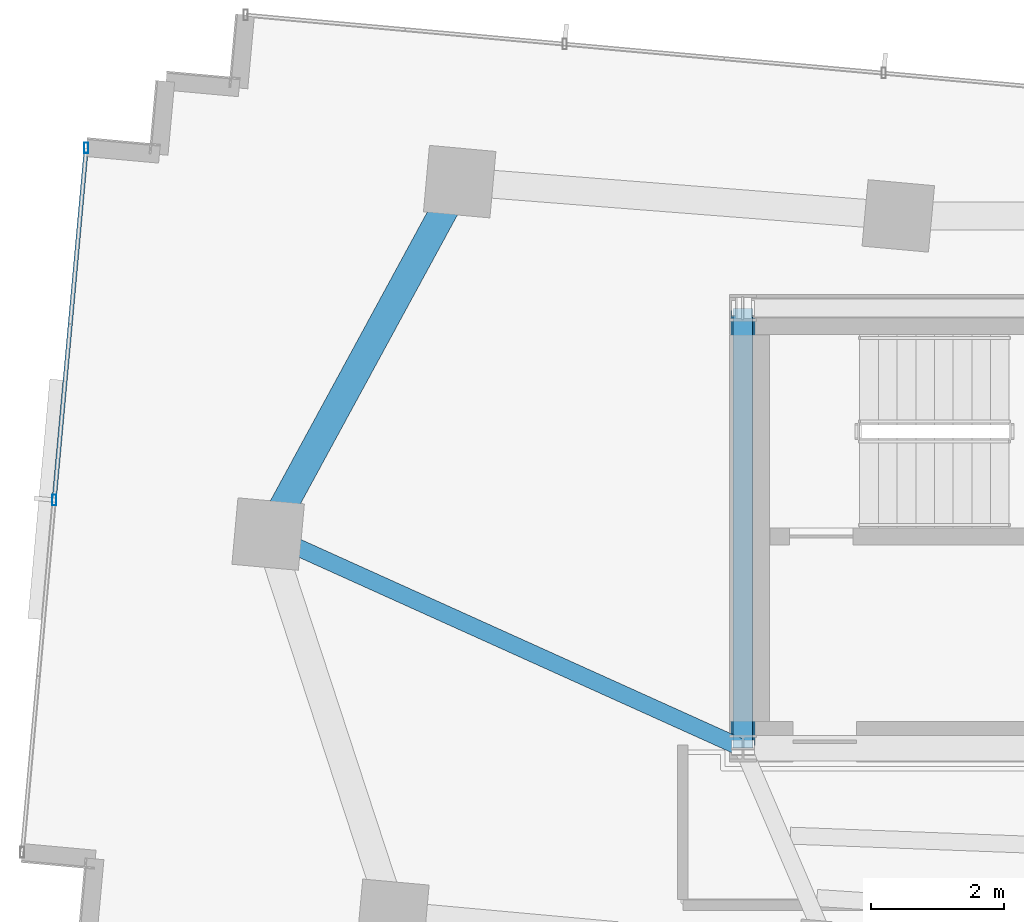
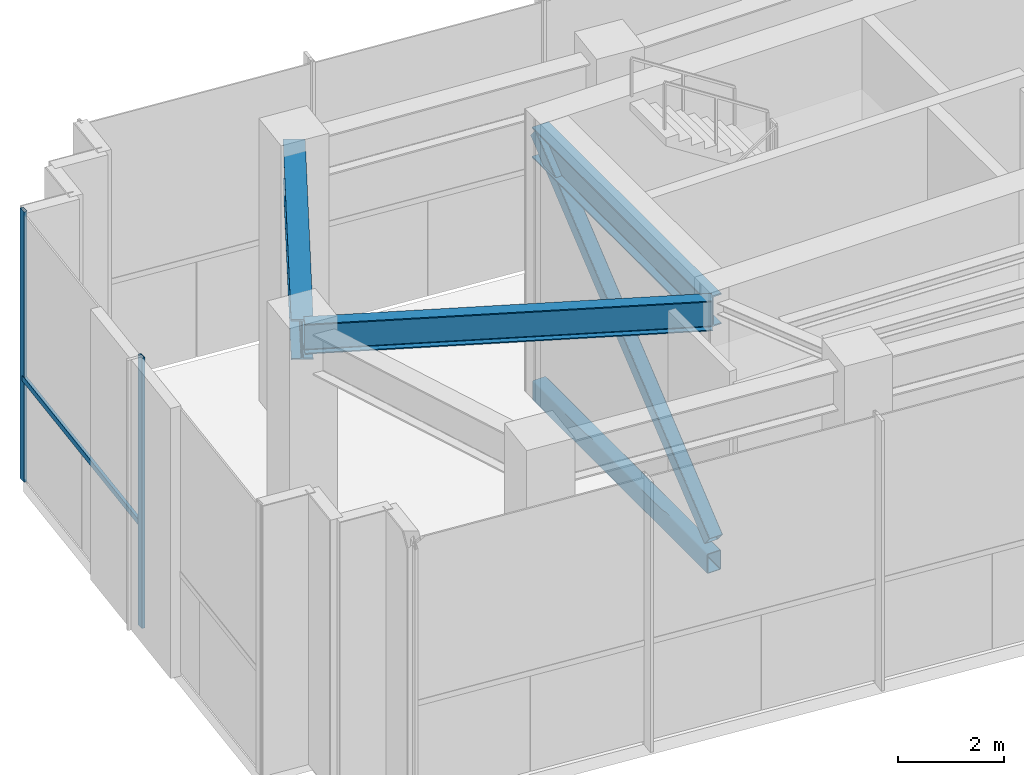
# One storey, part 4 of 18: 5 members, 3 beams, 1 element without a shape of its own.
"""IFC4 building model written with IfcOpenShell, lengths in metres."""

import ifcopenshell
import ifcopenshell.guid

model = None  # the IFC model being written
_history = None  # IfcOwnerHistory: only IFC2X3 demands one
_inside = {}  # id of a spatial element -> (the spatial element, [elements in it])
_under = {}  # id of a project, library or spatial element -> (it, [spatial elements below it])
_declared = {}  # id of a project -> (the project, [libraries it declares])
_typed = {}  # id of a type object -> (the type object, [elements of that type])
_made_of = {}  # id of a material, layer set ... -> (it, [elements and type objects made of it])


def new_model(schema):
    """Start an empty IFC model of exactly this schema.

    Asked for "IFC4X3", IfcOpenShell would pick the latest addendum, in which some entities
    have other attributes; the version numbers below select the first issue.
    IFC2X3 requires an IfcOwnerHistory on every rooted entity: one is made here for all.
    """
    global model, _history
    if schema == "IFC4X3":
        model = ifcopenshell.file(schema_version=(4, 3, 0, 0))
    else:
        model = ifcopenshell.file(schema=schema)
    _inside.clear()
    _under.clear()
    _declared.clear()
    _typed.clear()
    _made_of.clear()
    _history = None
    if model.schema == "IFC2X3":
        org = make("IfcOrganization", Name="unknown")
        user = make(
            "IfcPersonAndOrganization",
            ThePerson=make("IfcPerson", FamilyName="unknown"),
            TheOrganization=org,
        )
        app = make(
            "IfcApplication",
            ApplicationDeveloper=org,
            Version="unknown",
            ApplicationFullName="unknown",
            ApplicationIdentifier="unknown",
        )
        _history = make(
            "IfcOwnerHistory",
            OwningUser=user,
            OwningApplication=app,
            ChangeAction="ADDED",
            CreationDate=0,
        )
    return model


def make(cls, **values):
    """One entity of the class cls with the attributes given. An attribute that is None is left unset."""
    return model.create_entity(
        cls, **{name: value for name, value in values.items() if value is not None}
    )


def rooted(cls, **values):
    """An entity with a GlobalId (a new one), such as an element, a storey or a relation."""
    return make(cls, GlobalId=ifcopenshell.guid.new(), OwnerHistory=_history, **values)


def si_unit(unit_type, name, prefix=None):
    """IfcSIUnit, for example si_unit("LENGTHUNIT", "METRE", prefix="MILLI")."""
    return make("IfcSIUnit", UnitType=unit_type, Prefix=prefix, Name=name)


def assignment(units):
    """IfcUnitAssignment: the units of a project."""
    return None if units is None else make("IfcUnitAssignment", Units=units)


def point(xyz):
    """IfcCartesianPoint."""
    return None if xyz is None else make("IfcCartesianPoint", Coordinates=xyz)


def direction(xyz):
    """IfcDirection."""
    return None if xyz is None else make("IfcDirection", DirectionRatios=xyz)


def frame(location, z_axis=None, x_axis=None):
    """IfcAxis2Placement3D, a coordinate frame: its origin and axes. An axis left out is left unset."""
    return make(
        "IfcAxis2Placement3D",
        Location=point(location),
        Axis=direction(z_axis),
        RefDirection=direction(x_axis),
    )


def frame_2d(location, x_axis=None):
    """IfcAxis2Placement2D, a coordinate frame in the plane: its origin and x axis."""
    return make(
        "IfcAxis2Placement2D", Location=point(location), RefDirection=direction(x_axis)
    )


def origin():
    """The frame at (0, 0, 0) with its axes left unset."""
    return frame((0.0, 0.0, 0.0))


def origin_2d():
    """The frame at (0, 0) in the plane with its x axis left unset."""
    return frame_2d((0.0, 0.0))


def place(relative_to, where):
    """IfcLocalPlacement: puts the frame where relative to a parent placement (None: the world)."""
    return make(
        "IfcLocalPlacement", PlacementRelTo=relative_to, RelativePlacement=where
    )


def context(
    kind, dimensions, precision=None, world=None, true_north=None, identifier=None
):
    """IfcGeometricRepresentationContext, for example the 3D "Model" context."""
    return make(
        "IfcGeometricRepresentationContext",
        ContextIdentifier=identifier,
        ContextType=kind,
        CoordinateSpaceDimension=dimensions,
        Precision=precision,
        WorldCoordinateSystem=world,
        TrueNorth=true_north,
    )


def subcontext(parent, identifier, kind, view, scale=None):
    """IfcGeometricRepresentationSubContext, for example "Body" below "Model"."""
    return make(
        "IfcGeometricRepresentationSubContext",
        ContextIdentifier=identifier,
        ContextType=kind,
        ParentContext=parent,
        TargetScale=scale,
        TargetView=view,
    )


def project(units=None, contexts=None):
    """IfcProject with its units and contexts."""
    return rooted(
        "IfcProject",
        Name="project",
        RepresentationContexts=contexts,
        UnitsInContext=assignment(units),
    )


def spatial(cls, under=None, at=None, **own):
    """A site, building, storey or space (cls), placed at a placement, below another one or the project."""
    s = rooted(cls, ObjectPlacement=at, **own)
    if under is not None:
        _under.setdefault(under.id(), (under, []))[1].append(s)
    return s


def profile(cls, at=None, kind="AREA", **sizes):
    """A parametric profile (cls). Its sizes go by their IFC names, for example OverallWidth=200.0."""
    return make(cls, ProfileType=kind, Position=at, **sizes)


def hollow_rectangle(**sizes):
    """IfcRectangleHollowProfileDef."""
    return profile("IfcRectangleHollowProfileDef", **sizes)


def i_section(**sizes):
    """IfcIShapeProfileDef."""
    return profile("IfcIShapeProfileDef", **sizes)


def extrude(swept, where, along, depth):
    """IfcExtrudedAreaSolid: the profile swept, set in the frame where, extruded along a direction by depth."""
    return make(
        "IfcExtrudedAreaSolid",
        SweptArea=swept,
        Position=where,
        ExtrudedDirection=direction(along),
        Depth=depth,
    )


def shape(context_of_items, identifier, shape_type, items):
    """IfcShapeRepresentation: the items that make up one representation, for example the "Body"."""
    return make(
        "IfcShapeRepresentation",
        ContextOfItems=context_of_items,
        RepresentationIdentifier=identifier,
        RepresentationType=shape_type,
        Items=items,
    )


def source(mapping_origin, context_of_items, identifier, shape_type, items):
    """IfcRepresentationMap: a shape defined once, which mapped items show again and again."""
    return make(
        "IfcRepresentationMap",
        MappingOrigin=mapping_origin,
        MappedRepresentation=shape(context_of_items, identifier, shape_type, items),
    )


def transform(
    local_origin,
    x_axis=None,
    y_axis=None,
    z_axis=None,
    scale=None,
    scale2=None,
    scale3=None,
    uniform=True,
):
    """IfcCartesianTransformationOperator3D, or its non-uniform kind. x_axis, y_axis, z_axis: its Axis1, 2, 3."""
    if uniform:
        return make(
            "IfcCartesianTransformationOperator3D",
            Axis1=direction(x_axis),
            Axis2=direction(y_axis),
            LocalOrigin=point(local_origin),
            Scale=scale,
            Axis3=direction(z_axis),
        )
    return make(
        "IfcCartesianTransformationOperator3DnonUniform",
        Axis1=direction(x_axis),
        Axis2=direction(y_axis),
        LocalOrigin=point(local_origin),
        Scale=scale,
        Axis3=direction(z_axis),
        Scale2=scale2,
        Scale3=scale3,
    )


def mapped(mapping_source, mapping_target):
    """IfcMappedItem: shows the shape of a source again, moved by a transform."""
    return make(
        "IfcMappedItem", MappingSource=mapping_source, MappingTarget=mapping_target
    )


def material(Name=None, Category=None):
    """IfcMaterial."""
    return make("IfcMaterial", Name=Name, Category=Category)


def material_profile(
    of_material, cross_section, Name=None, Category=None, Priority=None
):
    """IfcMaterialProfile: a cross section and its material."""
    return make(
        "IfcMaterialProfile",
        Name=Name,
        Material=of_material,
        Profile=cross_section,
        Priority=Priority,
        Category=Category,
    )


def profile_set(profiles, Name=None, composite=None):
    """IfcMaterialProfileSet."""
    return make(
        "IfcMaterialProfileSet",
        Name=Name,
        MaterialProfiles=profiles,
        CompositeProfile=composite,
    )


def made_of(thing, what):
    """Note that an element or type object is made of a material, layer set ...; save() writes the relation."""
    if what is not None:
        _made_of.setdefault(what.id(), (what, []))[1].append(thing)
    return thing


def type_object(cls, material=None, **own):
    """A type object (cls), such as IfcWallType, which elements share."""
    return made_of(rooted(cls, **own), material)


def type_shapes(of_type, sources):
    """Give a type object the sources (RepresentationMaps) that its elements show as mapped items."""
    of_type.RepresentationMaps = sources


def element(
    cls,
    number,
    at=None,
    inside=None,
    cuts=None,
    type_object=None,
    material=None,
    context=None,
    identifier="Body",
    shape_type=None,
    held_by="IfcProductDefinitionShape",
    body=None,
    shapes=None,
    **own,
):
    """One element of the class cls, such as IfcWall. Its Tag is "e" and its number.

    at: its placement. inside: the storey or other place that contains it. cuts: it is an
    opening in that element (IfcRelVoidsElement). A single representation is given by context,
    identifier, shape_type and body (its items); several are given by shapes. held_by: the class
    of the entity that holds the representations. save() writes the other relations.
    """
    e = rooted(cls, Tag="e%d" % number, ObjectPlacement=at, **own)
    if body is not None:
        shapes = [shape(context, identifier, shape_type, body)]
    if shapes is not None:
        e.Representation = make(held_by, Representations=shapes)
    if inside is not None:
        _inside.setdefault(inside.id(), (inside, []))[1].append(e)
    if cuts is not None:
        rooted(
            "IfcRelVoidsElement", RelatingBuildingElement=cuts, RelatedOpeningElement=e
        )
    if type_object is not None:
        _typed.setdefault(type_object.id(), (type_object, []))[1].append(e)
    return made_of(e, material)


def aggregate(whole, parts):
    """IfcRelAggregates: a whole, such as a stair, and the parts it consists of."""
    return rooted("IfcRelAggregates", RelatingObject=whole, RelatedObjects=parts)


def save(model, path):
    """Write the relations noted so far, then the file.

    IfcRelAggregates (storeys below a building ...), IfcRelContainedInSpatialStructure (elements
    in a storey), IfcRelDefinesByType, IfcRelAssociatesMaterial and IfcRelDeclares: one each for
    every whole, place, type object, material and project.
    """
    for whole, parts in _under.values():
        aggregate(whole, parts)
    for where, things in _inside.values():
        rooted(
            "IfcRelContainedInSpatialStructure",
            RelatedElements=things,
            RelatingStructure=where,
        )
    for kind, things in _typed.values():
        rooted("IfcRelDefinesByType", RelatedObjects=things, RelatingType=kind)
    for what, things in _made_of.values():
        rooted("IfcRelAssociatesMaterial", RelatedObjects=things, RelatingMaterial=what)
    for by, libraries in _declared.values():
        rooted("IfcRelDeclares", RelatingContext=by, RelatedDefinitions=libraries)
    model.write(path)


model = new_model("IFC4")

# Units and contexts
model_context = context("Model", 3, precision=1e-05, world=origin(), true_north=direction((0.0, 1.0)))
body_context = subcontext(model_context, "Body", "Model", "MODEL_VIEW")
ifc_project = project(units=[si_unit("LENGTHUNIT", "METRE"), si_unit("AREAUNIT", "SQUARE_METRE"), si_unit("VOLUMEUNIT", "CUBIC_METRE"), si_unit("PLANEANGLEUNIT", "RADIAN"), si_unit("MASSUNIT", "GRAM", prefix="KILO")], contexts=[model_context])

# Site, building, storey
site_placement = place(None, origin())
site = spatial("IfcSite", under=ifc_project, at=site_placement, CompositionType="ELEMENT")
building_placement = place(site_placement, origin())
building = spatial("IfcBuilding", under=site, at=building_placement, Name="Astriad Promenade Condominiums", CompositionType="ELEMENT")
storey_placement = place(building_placement, frame((0.0, 0.0, 277.300048828125)))
storey = spatial("IfcBuildingStorey", under=building, at=storey_placement, Name="L78", CompositionType="ELEMENT", Elevation=277.300048828125)

# Beams
ifc_material_1 = material(Name="Steel ASTM A992 Grade 50", Category="steel")
ifc_material_profile_1 = material_profile(ifc_material_1, i_section(OverallWidth=0.35791015625, OverallDepth=0.706298828125, WebThickness=0.018310546875, FlangeThickness=0.0302734375, FilletRadius=0.020263671875, at=origin_2d()), Name="W27X178")
ifc_profile_set_1 = profile_set([ifc_material_profile_1], Name="Steel ASTM A992 Grade 50")
beam_type_1 = type_object("IfcBeamType", Name="STEEL FLOOR GIRDER W27X178", PredefinedType="BEAM", material=ifc_profile_set_1)
shared_shape_1 = source(origin(), body_context, "Body", "SweptSolid", [
    extrude(i_section(OverallWidth=0.35791015625, OverallDepth=0.706298828125, WebThickness=0.018310546875, FlangeThickness=0.0302734375, FilletRadius=0.020263671875, at=origin_2d()), origin(), (0.0, 0.0, 1.0), 6.52001953125),
])
type_shapes(beam_type_1, [shared_shape_1])
beam_1_placement = place(storey_placement, frame((26.39990234375, 17.43994140625, 5.86669921875), z_axis=(0.0, 1.0, 0.0), x_axis=(-1.0, 0.0, 0.0)))
element("IfcBeam", 1, at=beam_1_placement, inside=storey, type_object=beam_type_1, Name="Core Ring Beam CG-W1-L78", PredefinedType="BEAM", context=body_context, shape_type="MappedRepresentation", body=[
    mapped(shared_shape_1, transform((0.0, 0.0, 0.0), scale=1.0)),
])
ifc_material_profile_2 = material_profile(ifc_material_1, i_section(OverallWidth=0.255859375, OverallDepth=0.693115234375, WebThickness=0.014404296875, FlangeThickness=0.023681640625, FilletRadius=0.020263671875, at=origin_2d()), Name="W27X114")
ifc_profile_set_2 = profile_set([ifc_material_profile_2], Name="Steel ASTM A992 Grade 50")
beam_type_2 = type_object("IfcBeamType", Name="STEEL FLOOR GIRDER W27X114", PredefinedType="BEAM", material=ifc_profile_set_2)
shared_shape_2 = source(origin(), body_context, "Body", "SweptSolid", [
    extrude(i_section(OverallWidth=0.255859375, OverallDepth=0.693115234375, WebThickness=0.014404296875, FlangeThickness=0.023681640625, FilletRadius=0.020263671875, at=origin_2d()), origin(), (0.0, 0.0, 1.0), 7.727294921875),
])
type_shapes(beam_type_2, [shared_shape_2])
beam_2_placement = place(storey_placement, frame((19.320556640625, 20.595703125, 5.873291015625), z_axis=(0.911443223183, -0.411425875357, 0.0), x_axis=(0.411425875357, 0.911443223183, 0.0)))
element("IfcBeam", 2, at=beam_2_placement, inside=storey, type_object=beam_type_2, Name="Primary Floor Girder PG-WM-L78", PredefinedType="BEAM", context=body_context, shape_type="MappedRepresentation", body=[
    mapped(shared_shape_2, transform((0.0, 0.0, 0.0), scale=1.0)),
])
ifc_material_profile_3 = material_profile(ifc_material_1, i_section(OverallWidth=0.418212890625, OverallDepth=0.926513671875, WebThickness=0.019287109375, FlangeThickness=0.031982421875, FilletRadius=0.024169921875, at=origin_2d()), Name="W36X231")
ifc_profile_set_3 = profile_set([ifc_material_profile_3], Name="Steel ASTM A992 Grade 50")
beam_type_3 = type_object("IfcBeamType", Name="STEEL CROWN RING BEAM W36X231", PredefinedType="BEAM", material=ifc_profile_set_3)
shared_shape_3 = source(origin(), body_context, "Body", "SweptSolid", [
    extrude(i_section(OverallWidth=0.418212890625, OverallDepth=0.926513671875, WebThickness=0.019287109375, FlangeThickness=0.031982421875, FilletRadius=0.024169921875, at=origin_2d()), origin(), (0.0, 0.0, 1.0), 5.93115234375),
])
type_shapes(beam_type_3, [shared_shape_3])
beam_3_placement = place(storey_placement, frame((22.135498046875, 25.8583984375, 5.756591796875), z_axis=(-0.477527827146, -0.878616625327, 0.0), x_axis=(0.878616625327, -0.477527827146, 0.0)))
element("IfcBeam", 3, at=beam_3_placement, inside=storey, type_object=beam_type_3, Name="Perimeter Spandrel Beam SP-W2-L78", PredefinedType="BEAM", context=body_context, shape_type="MappedRepresentation", body=[
    mapped(shared_shape_3, transform((0.0, 0.0, 0.0), scale=1.0)),
])

# Members
ifc_material_2 = material(Name="Steel ASTM A500 Grade C", Category="steel")
ifc_material_profile_4 = material_profile(ifc_material_2, hollow_rectangle(XDim=0.3046875, YDim=0.457275390625, WallThickness=0.014892578125, InnerFilletRadius=0.014892578125, OuterFilletRadius=0.029541015625, at=origin_2d()), Name="HSS457X305X15.9")
ifc_profile_set_4 = profile_set([ifc_material_profile_4], Name="Steel ASTM A500 Grade C")
member_type_1 = type_object("IfcMemberType", Name="HSS LANTERN RING CHORD 457X305", PredefinedType="CHORD", material=ifc_profile_set_4)
shared_shape_4 = source(origin(), body_context, "Body", "SweptSolid", [
    extrude(hollow_rectangle(XDim=0.3046875, YDim=0.457275390625, WallThickness=0.014892578125, InnerFilletRadius=0.014892578125, OuterFilletRadius=0.029541015625, at=origin_2d()), origin(), (0.0, 0.0, 1.0), 6.590087890625),
])
type_shapes(member_type_1, [shared_shape_4])
member_1_placement = place(storey_placement, frame((26.39990234375, 17.405029296875, 0.119873046875), z_axis=(0.0, 1.0, 0.0), x_axis=(-1.0, 0.0, 0.0)))
element("IfcMember", 4, at=member_1_placement, inside=storey, type_object=member_type_1, Name="Crown Ring Interior Chord HCHORD-L78-03", PredefinedType="CHORD", context=body_context, shape_type="MappedRepresentation", body=[
    mapped(shared_shape_4, transform((0.0, 0.0, 0.0), scale=1.0)),
])
ifc_material_profile_5 = material_profile(ifc_material_2, hollow_rectangle(XDim=0.3046875, YDim=0.3046875, WallThickness=0.014892578125, InnerFilletRadius=0.014892578125, OuterFilletRadius=0.029541015625, at=origin_2d()), Name="HSS305X305X15.9")
ifc_profile_set_5 = profile_set([ifc_material_profile_5], Name="Steel ASTM A500 Grade C")
member_type_2 = type_object("IfcMemberType", Name="HSS SECONDARY DIAGONAL BRACE 305X305", PredefinedType="BRACE", material=ifc_profile_set_5)
shared_shape_5 = source(origin(), body_context, "Body", "SweptSolid", [
    extrude(hollow_rectangle(XDim=0.3046875, YDim=0.3046875, WallThickness=0.014892578125, InnerFilletRadius=0.014892578125, OuterFilletRadius=0.029541015625, at=origin_2d()), origin(), (0.0, 0.0, 1.0), 8.509521484375),
])
type_shapes(member_type_2, [shared_shape_5])
member_2_placement = place(storey_placement, frame((26.39990234375, 17.419189453125, 0.6357421875), z_axis=(0.0, 0.771087298108, 0.636729439162), x_axis=(-1.0, 0.0, 0.0)))
element("IfcMember", 5, at=member_2_placement, inside=storey, type_object=member_type_2, Name="Crown Ring Interior Brace HBRACE-L78-03", PredefinedType="BRACE", context=body_context, shape_type="MappedRepresentation", body=[
    mapped(shared_shape_5, transform((0.0, 0.0, 0.0), scale=1.0)),
])

# Curtain wall, members
ifc_material_3 = material(Name="Anodised aluminium Black Dark Glass Unitised", Category="aluminium")
curtain_wall_type = type_object("IfcCurtainWallType", Name="CW-TMD-LANTERN", PredefinedType="USERDEFINED", material=ifc_material_3)
curtain_wall_placement = place(storey_placement, origin())
curtain_wall = element("IfcCurtainWall", 6, at=curtain_wall_placement, inside=storey, type_object=curtain_wall_type, Name="CW-CRN-L78-03", ObjectType="UNITISED_CURTAIN_WALL", PredefinedType="USERDEFINED")
ifc_material_4 = material(Name="Anodised aluminium 6063-T6 Black", Category="aluminium")
ifc_material_profile_6 = material_profile(ifc_material_4, hollow_rectangle(XDim=0.06494140625, YDim=0.1298828125, WallThickness=0.00390625, at=origin_2d()), Name="ALU-TRN-65X130")
ifc_profile_set_6 = profile_set([ifc_material_profile_6], Name="Anodised aluminium 6063-T6 Black")
member_type_3 = type_object("IfcMemberType", Name="TRN-ALU-TRN-65X130", PredefinedType="USERDEFINED", material=ifc_profile_set_6)
shared_shape_6 = source(origin(), body_context, "Body", "SweptSolid", [
    extrude(hollow_rectangle(XDim=0.06494140625, YDim=0.1298828125, WallThickness=0.00390625, at=origin_2d()), origin(), (0.0, 0.0, 1.0), 5.2998046875),
])
type_shapes(member_type_3, [shared_shape_6])
member_3_placement = place(storey_placement, frame((16.078125, 21.1220703125, 2.349853515625), z_axis=(0.090656194392, 0.995882249274, 0.0), x_axis=(-0.995882249274, 0.090656194392, 0.0)))
member_3 = element("IfcMember", 7, at=member_3_placement, type_object=member_type_3, Name="CW-CRN-L78-03-TRN-01-0", ObjectType="TRANSOM", PredefinedType="USERDEFINED", context=body_context, shape_type="MappedRepresentation", body=[
    mapped(shared_shape_6, transform((0.0, 0.0, 0.0), scale=1.0)),
])
ifc_material_profile_7 = material_profile(ifc_material_4, hollow_rectangle(XDim=0.06494140625, YDim=0.159912109375, WallThickness=0.00390625, at=origin_2d()), Name="ALU-MUL-65X160")
ifc_profile_set_7 = profile_set([ifc_material_profile_7], Name="Anodised aluminium 6063-T6 Black")
member_type_4 = type_object("IfcMemberType", Name="MUL-ALU-MUL-65X160", PredefinedType="MULLION", material=ifc_profile_set_7)
shared_shape_7 = source(origin(), body_context, "Body", "SweptSolid", [
    extrude(hollow_rectangle(XDim=0.06494140625, YDim=0.159912109375, WallThickness=0.00390625, at=origin_2d()), origin(), (0.0, 0.0, 1.0), 6.219970703125),
])
type_shapes(member_type_4, [shared_shape_7])
member_4_placement = place(storey_placement, frame((16.078125, 21.1220703125, 0.0), z_axis=(0.0, 0.0, 1.0), x_axis=(1.0, 0.0, 0.0)))
member_4 = element("IfcMember", 8, at=member_4_placement, type_object=member_type_4, Name="CW-CRN-L78-03-MUL-01", PredefinedType="MULLION", context=body_context, shape_type="MappedRepresentation", body=[
    mapped(shared_shape_7, transform((0.0, 0.0, 0.0), scale=1.0)),
])
member_5_placement = place(storey_placement, frame((16.55859375, 26.400146484375, 0.0), z_axis=(0.0, 0.0, 1.0), x_axis=(1.0, 0.0, 0.0)))
member_5 = element("IfcMember", 9, at=member_5_placement, type_object=member_type_4, Name="CW-CRN-L78-03-MUL-02", PredefinedType="MULLION", context=body_context, shape_type="MappedRepresentation", body=[
    mapped(shared_shape_7, transform((0.0, 0.0, 0.0), scale=1.0)),
])
aggregate(curtain_wall, [member_4, member_5, member_3])

save(model, "model.ifc")
